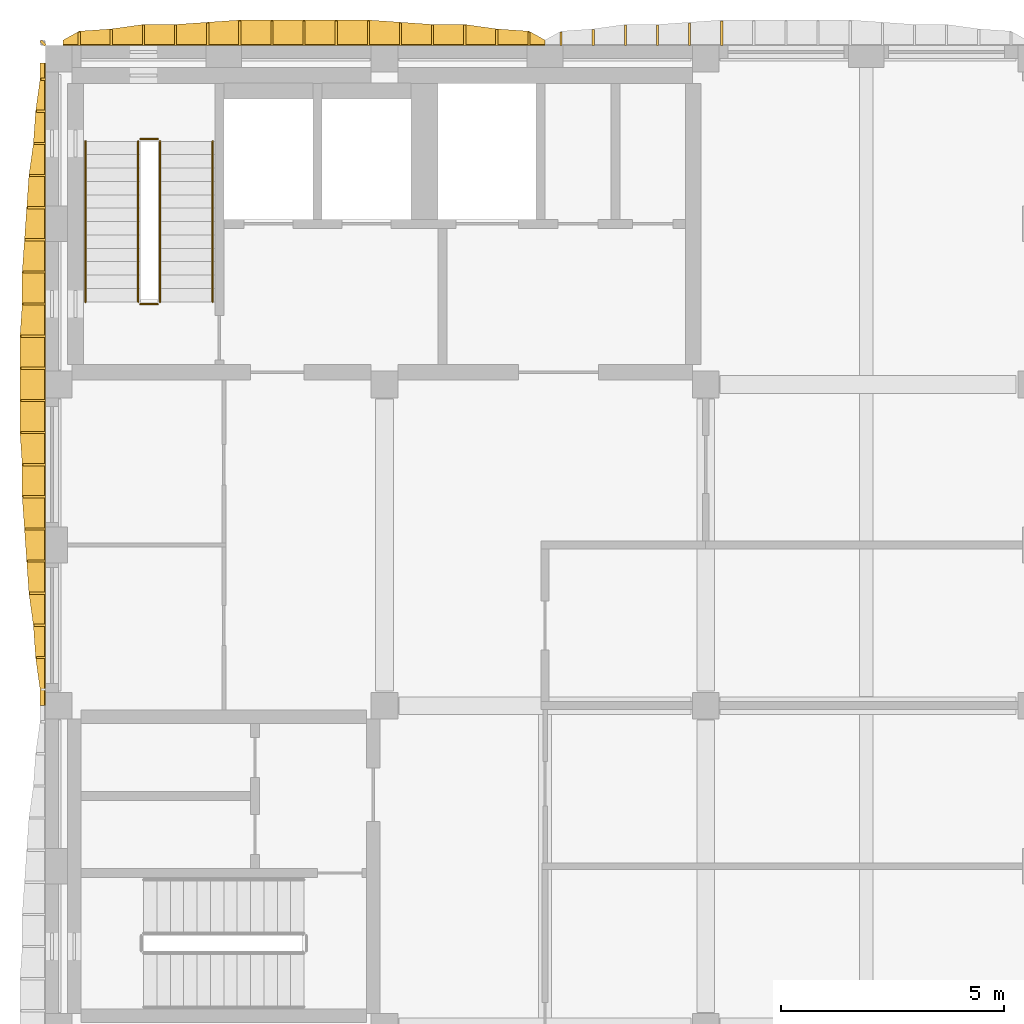
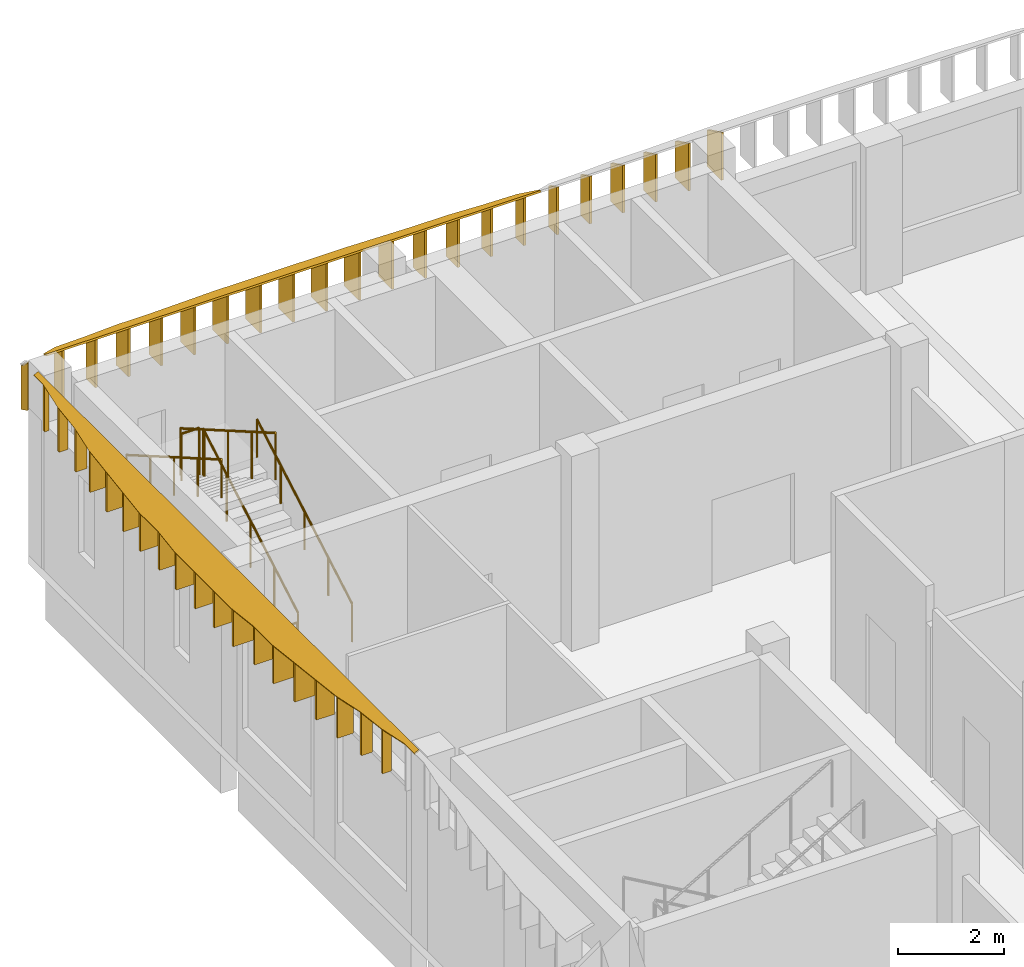
# One storey, part 7 of 10: 43 shading devices, 6 railings.
"""IFC4 building model written with IfcOpenShell, lengths in metres."""

from ifc_helpers import new_model, si_unit, direction, frame, origin, origin_2d, place, context, subcontext, project, spatial, polyline, circle, outline, extrude, material, layer, layer_set, type_object, element, save


model = new_model("IFC4")

# Units and contexts
model_context = context("Model", 3, precision=1e-05, world=origin(), true_north=direction((0.0, 1.0)))
body_context = subcontext(model_context, "Body", "Model", "MODEL_VIEW")
ifc_project = project(units=[si_unit("LENGTHUNIT", "METRE"), si_unit("AREAUNIT", "SQUARE_METRE"), si_unit("VOLUMEUNIT", "CUBIC_METRE"), si_unit("PLANEANGLEUNIT", "RADIAN"), si_unit("MASSUNIT", "GRAM", prefix="KILO")], contexts=[model_context])

# Site, building, storey
site_placement = place(None, origin())
site = spatial("IfcSite", under=ifc_project, at=site_placement, CompositionType="ELEMENT")
building_placement = place(site_placement, origin())
building = spatial("IfcBuilding", under=site, at=building_placement, Name="Ussher Court Research Institute", CompositionType="ELEMENT")
storey_placement = place(building_placement, frame((0.0, 0.0, 36.89990234375)))
storey = spatial("IfcBuildingStorey", under=building, at=storey_placement, Name="L08", CompositionType="ELEMENT", Elevation=36.89990234375)

# Shading devices
ifc_material_1 = material(Name="Bronze anodised aluminium", Category="aluminium")
ifc_layer_1 = layer(ifc_material_1, 0.050048828125)
ifc_layer_set_1 = layer_set([ifc_layer_1], Name="Bronze anodised aluminium")
shading_device_type_1 = type_object("IfcShadingDeviceType", Name="Brim blade 100 mm deep 1100 mm high canted 26 deg wet", PredefinedType="USERDEFINED", material=ifc_layer_set_1)
shading_device_1_placement = place(storey_placement, frame((81.800048828125, 32.43994140625, 3.35009765625), z_axis=(0.0, 0.0, 1.0), x_axis=(-1.0, 0.0, 0.0)))
element("IfcShadingDevice", 1, at=shading_device_1_placement, inside=storey, type_object=shading_device_type_1, Name="Brim blade BS10 L08", ObjectType="BLADE", PredefinedType="USERDEFINED", context=body_context, shape_type="SweptSolid", body=[
    extrude(outline(polyline([(0.0, 0.0), (0.10009765625, 0.0), (0.10009765625, 1.05126953125), (0.0, 1.10009765625), (0.0, 0.0)])), frame((0.0, 0.02490234375, 0.0), z_axis=(0.0, -1.0, 0.0), x_axis=(1.0, 0.0, 0.0)), (0.0, 0.0, 1.0), 0.050048828125),
])
ifc_material_2 = material(Name="Bronze anodised aluminium", Category="aluminium")
ifc_layer_2 = layer(ifc_material_2, 0.050048828125)
ifc_layer_set_2 = layer_set([ifc_layer_2], Name="Bronze anodised aluminium")
shading_device_type_2 = type_object("IfcShadingDeviceType", Name="Brim blade 200 mm deep 1100 mm high canted 26 deg wet", PredefinedType="USERDEFINED", material=ifc_layer_set_2)
for number, where, z_axis, x_axis, name in (
    (2, (81.800048828125, 19.47998046875, 3.35009765625), (0.0, 0.0, 1.0), (-1.0, 0.0, 0.0), "Brim blade BS08 L08"),
    (3, (81.800048828125, 31.719970703125, 3.35009765625), (0.0, 0.0, 1.0), (-1.0, 0.0, 0.0), "Brim blade BS08 L08"),
):
    element("IfcShadingDevice", number, at=place(storey_placement, frame(where, z_axis=z_axis, x_axis=x_axis)), inside=storey, type_object=shading_device_type_2, Name=name, ObjectType="BLADE", PredefinedType="USERDEFINED", context=body_context, shape_type="SweptSolid", body=[
        extrude(outline(polyline([(0.0, 0.0), (0.199951171875, 0.0), (0.199951171875, 1.00244140625), (0.0, 1.10009765625), (0.0, 0.0)])), frame((0.0, 0.02490234375, 0.0), z_axis=(0.0, -1.0, 0.0), x_axis=(1.0, 0.0, 0.0)), (0.0, 0.0, 1.0), 0.050048828125),
    ])
ifc_material_3 = material(Name="Bronze anodised aluminium", Category="aluminium")
ifc_layer_3 = layer(ifc_material_3, 0.050048828125)
ifc_layer_set_3 = layer_set([ifc_layer_3], Name="Bronze anodised aluminium")
shading_device_type_3 = type_object("IfcShadingDeviceType", Name="Brim blade 250 mm deep 1100 mm high canted 26 deg wet", PredefinedType="USERDEFINED", material=ifc_layer_set_3)
for number, where, z_axis, x_axis, name in (
    (4, (81.800048828125, 20.199951171875, 3.35009765625), (0.0, 0.0, 1.0), (-1.0, 0.0, 0.0), "Brim blade BS07 L08"),
    (5, (81.800048828125, 31.0, 3.35009765625), (0.0, 0.0, 1.0), (-1.0, 0.0, 0.0), "Brim blade BS07 L08"),
):
    element("IfcShadingDevice", number, at=place(storey_placement, frame(where, z_axis=z_axis, x_axis=x_axis)), inside=storey, type_object=shading_device_type_3, Name=name, ObjectType="BLADE", PredefinedType="USERDEFINED", context=body_context, shape_type="SweptSolid", body=[
        extrude(outline(polyline([(0.0, 0.0), (0.25, 0.0), (0.25, 0.97802734375), (0.0, 1.10009765625), (0.0, 0.0)])), frame((0.0, 0.02490234375, 0.0), z_axis=(0.0, -1.0, 0.0), x_axis=(1.0, 0.0, 0.0)), (0.0, 0.0, 1.0), 0.050048828125),
    ])
ifc_material_4 = material(Name="Bronze anodised aluminium", Category="aluminium")
ifc_layer_4 = layer(ifc_material_4, 0.050048828125)
ifc_layer_set_4 = layer_set([ifc_layer_4], Name="Bronze anodised aluminium")
shading_device_type_4 = type_object("IfcShadingDeviceType", Name="Brim blade 300 mm deep 1100 mm high canted 26 deg wet", PredefinedType="USERDEFINED", material=ifc_layer_set_4)
for number, where, z_axis, x_axis, name in (
    (6, (82.56005859375, 33.199951171875, 3.35009765625), (0.0, 0.0, 1.0), (0.0, 1.0, 0.0), "Brim blade BS06 L08"),
    (7, (92.639892578125, 33.199951171875, 3.35009765625), (0.0, 0.0, 1.0), (0.0, 1.0, 0.0), "Brim blade BS06 L08"),
    (8, (93.360107421875, 33.199951171875, 3.35009765625), (0.0, 0.0, 1.0), (0.0, 1.0, 0.0), "Brim blade BS06 L08"),
):
    element("IfcShadingDevice", number, at=place(storey_placement, frame(where, z_axis=z_axis, x_axis=x_axis)), inside=storey, type_object=shading_device_type_4, Name=name, ObjectType="BLADE", PredefinedType="USERDEFINED", context=body_context, shape_type="SweptSolid", body=[
        extrude(outline(polyline([(0.0, 0.0), (0.300048828125, 0.0), (0.300048828125, 0.95361328125), (0.0, 1.10009765625), (0.0, 0.0)])), frame((0.0, 0.02490234375, 0.0), z_axis=(0.0, -1.0, 0.0), x_axis=(1.0, 0.0, 0.0)), (0.0, 0.0, 1.0), 0.050048828125),
    ])
ifc_material_5 = material(Name="Bronze anodised aluminium", Category="aluminium")
ifc_layer_5 = layer(ifc_material_5, 0.050048828125)
ifc_layer_set_5 = layer_set([ifc_layer_5], Name="Bronze anodised aluminium")
shading_device_type_5 = type_object("IfcShadingDeviceType", Name="Brim blade 350 mm deep 1100 mm high canted 26 deg wet", PredefinedType="USERDEFINED", material=ifc_layer_set_5)
for number, where, z_axis, x_axis, name in (
    (9, (83.280029296875, 33.199951171875, 3.35009765625), (0.0, 0.0, 1.0), (0.0, 1.0, 0.0), "Brim blade BS05 L08"),
    (10, (91.919921875, 33.199951171875, 3.35009765625), (0.0, 0.0, 1.0), (0.0, 1.0, 0.0), "Brim blade BS05 L08"),
    (11, (94.080078125, 33.199951171875, 3.35009765625), (0.0, 0.0, 1.0), (0.0, 1.0, 0.0), "Brim blade BS05 L08"),
    (12, (81.800048828125, 20.919921875, 3.35009765625), (0.0, 0.0, 1.0), (-1.0, 0.0, 0.0), "Brim blade BS05 L08"),
    (13, (81.800048828125, 30.280029296875, 3.35009765625), (0.0, 0.0, 1.0), (-1.0, 0.0, 0.0), "Brim blade BS05 L08"),
):
    element("IfcShadingDevice", number, at=place(storey_placement, frame(where, z_axis=z_axis, x_axis=x_axis)), inside=storey, type_object=shading_device_type_5, Name=name, ObjectType="BLADE", PredefinedType="USERDEFINED", context=body_context, shape_type="SweptSolid", body=[
        extrude(outline(polyline([(0.0, 0.0), (0.35009765625, 0.0), (0.35009765625, 0.92919921875), (0.0, 1.10009765625), (0.0, 0.0)])), frame((0.0, 0.02490234375, 0.0), z_axis=(0.0, -1.0, 0.0), x_axis=(1.0, 0.0, 0.0)), (0.0, 0.0, 1.0), 0.050048828125),
    ])
ifc_material_6 = material(Name="Bronze anodised aluminium", Category="aluminium")
ifc_layer_6 = layer(ifc_material_6, 0.050048828125)
ifc_layer_set_6 = layer_set([ifc_layer_6], Name="Bronze anodised aluminium")
shading_device_type_6 = type_object("IfcShadingDeviceType", Name="Brim blade 400 mm deep 1100 mm high canted 26 deg wet", PredefinedType="USERDEFINED", material=ifc_layer_set_6)
for number, where, z_axis, x_axis, name in (
    (14, (81.800048828125, 21.639892578125, 3.35009765625), (0.0, 0.0, 1.0), (-1.0, 0.0, 0.0), "Brim blade BS04 L08"),
    (15, (81.800048828125, 29.56005859375, 3.35009765625), (0.0, 0.0, 1.0), (-1.0, 0.0, 0.0), "Brim blade BS04 L08"),
):
    element("IfcShadingDevice", number, at=place(storey_placement, frame(where, z_axis=z_axis, x_axis=x_axis)), inside=storey, type_object=shading_device_type_6, Name=name, ObjectType="BLADE", PredefinedType="USERDEFINED", context=body_context, shape_type="SweptSolid", body=[
        extrude(outline(polyline([(0.0, 0.0), (0.400146484375, 0.0), (0.39990234375, 0.90478515625), (0.0, 1.10009765625), (0.0, 0.0)])), frame((0.0, 0.02490234375, 0.0), z_axis=(0.0, -1.0, 0.0), x_axis=(1.0, 0.0, 0.0)), (0.0, 0.0, 1.0), 0.050048828125),
    ])
ifc_material_7 = material(Name="Bronze anodised aluminium", Category="aluminium")
ifc_layer_7 = layer(ifc_material_7, 0.050048828125)
ifc_layer_set_7 = layer_set([ifc_layer_7], Name="Bronze anodised aluminium")
shading_device_type_7 = type_object("IfcShadingDeviceType", Name="Brim blade 450 mm deep 1100 mm high canted 26 deg wet", PredefinedType="USERDEFINED", material=ifc_layer_set_7)
for number, where, z_axis, x_axis, name in (
    (16, (84.0, 33.199951171875, 3.35009765625), (0.0, 0.0, 1.0), (0.0, 1.0, 0.0), "Brim blade BS03 L08"),
    (17, (84.719970703125, 33.199951171875, 3.35009765625), (0.0, 0.0, 1.0), (0.0, 1.0, 0.0), "Brim blade BS03 L08"),
    (18, (90.47998046875, 33.199951171875, 3.35009765625), (0.0, 0.0, 1.0), (0.0, 1.0, 0.0), "Brim blade BS03 L08"),
    (19, (91.199951171875, 33.199951171875, 3.35009765625), (0.0, 0.0, 1.0), (0.0, 1.0, 0.0), "Brim blade BS03 L08"),
    (20, (94.800048828125, 33.199951171875, 3.35009765625), (0.0, 0.0, 1.0), (0.0, 1.0, 0.0), "Brim blade BS03 L08"),
    (21, (95.52001953125, 33.199951171875, 3.35009765625), (0.0, 0.0, 1.0), (0.0, 1.0, 0.0), "Brim blade BS03 L08"),
    (22, (81.800048828125, 22.360107421875, 3.35009765625), (0.0, 0.0, 1.0), (-1.0, 0.0, 0.0), "Brim blade BS03 L08"),
    (23, (81.800048828125, 28.840087890625, 3.35009765625), (0.0, 0.0, 1.0), (-1.0, 0.0, 0.0), "Brim blade BS03 L08"),
):
    element("IfcShadingDevice", number, at=place(storey_placement, frame(where, z_axis=z_axis, x_axis=x_axis)), inside=storey, type_object=shading_device_type_7, Name=name, ObjectType="BLADE", PredefinedType="USERDEFINED", context=body_context, shape_type="SweptSolid", body=[
        extrude(outline(polyline([(0.0, 0.0), (0.449951171875, 0.0), (0.449951171875, 0.880615234375), (0.0, 1.10009765625), (0.0, 0.0)])), frame((0.0, 0.02490234375, 0.0), z_axis=(0.0, -1.0, 0.0), x_axis=(1.0, 0.0, 0.0)), (0.0, 0.0, 1.0), 0.050048828125),
    ])
ifc_material_8 = material(Name="Bronze anodised aluminium", Category="aluminium")
ifc_layer_8 = layer(ifc_material_8, 0.050048828125)
ifc_layer_set_8 = layer_set([ifc_layer_8], Name="Bronze anodised aluminium")
shading_device_type_8 = type_object("IfcShadingDeviceType", Name="Brim blade 500 mm deep 1100 mm high canted 26 deg wet", PredefinedType="USERDEFINED", material=ifc_layer_set_8)
for number, where, z_axis, x_axis, name in (
    (24, (85.43994140625, 33.199951171875, 3.35009765625), (0.0, 0.0, 1.0), (0.0, 1.0, 0.0), "Brim blade BS02 L08"),
    (25, (89.760009765625, 33.199951171875, 3.35009765625), (0.0, 0.0, 1.0), (0.0, 1.0, 0.0), "Brim blade BS02 L08"),
    (26, (96.239990234375, 33.199951171875, 3.35009765625), (0.0, 0.0, 1.0), (0.0, 1.0, 0.0), "Brim blade BS02 L08"),
    (27, (81.800048828125, 23.080078125, 3.35009765625), (0.0, 0.0, 1.0), (-1.0, 0.0, 0.0), "Brim blade BS02 L08"),
    (28, (81.800048828125, 23.800048828125, 3.35009765625), (0.0, 0.0, 1.0), (-1.0, 0.0, 0.0), "Brim blade BS02 L08"),
    (29, (81.800048828125, 27.39990234375, 3.35009765625), (0.0, 0.0, 1.0), (-1.0, 0.0, 0.0), "Brim blade BS02 L08"),
    (30, (81.800048828125, 28.1201171875, 3.35009765625), (0.0, 0.0, 1.0), (-1.0, 0.0, 0.0), "Brim blade BS02 L08"),
):
    element("IfcShadingDevice", number, at=place(storey_placement, frame(where, z_axis=z_axis, x_axis=x_axis)), inside=storey, type_object=shading_device_type_8, Name=name, ObjectType="BLADE", PredefinedType="USERDEFINED", context=body_context, shape_type="SweptSolid", body=[
        extrude(outline(polyline([(0.0, 0.0), (0.5, 0.0), (0.5, 0.856201171875), (0.0, 1.10009765625), (0.0, 0.0)])), frame((0.0, 0.02490234375, 0.0), z_axis=(0.0, -1.0, 0.0), x_axis=(1.0, 0.0, 0.0)), (0.0, 0.0, 1.0), 0.050048828125),
    ])
ifc_material_9 = material(Name="Bronze anodised aluminium", Category="aluminium")
ifc_layer_9 = layer(ifc_material_9, 0.050048828125)
ifc_layer_set_9 = layer_set([ifc_layer_9], Name="Bronze anodised aluminium")
shading_device_type_9 = type_object("IfcShadingDeviceType", Name="Brim blade 550 mm deep 1100 mm high canted 26 deg wet", PredefinedType="USERDEFINED", material=ifc_layer_set_9)
for number, where, z_axis, x_axis, name in (
    (31, (86.159912109375, 33.199951171875, 3.35009765625), (0.0, 0.0, 1.0), (0.0, 1.0, 0.0), "Brim blade BS01 L08"),
    (32, (86.8798828125, 33.199951171875, 3.35009765625), (0.0, 0.0, 1.0), (0.0, 1.0, 0.0), "Brim blade BS01 L08"),
    (33, (87.60009765625, 33.199951171875, 3.35009765625), (0.0, 0.0, 1.0), (0.0, 1.0, 0.0), "Brim blade BS01 L08"),
    (34, (88.320068359375, 33.199951171875, 3.35009765625), (0.0, 0.0, 1.0), (0.0, 1.0, 0.0), "Brim blade BS01 L08"),
    (35, (89.0400390625, 33.199951171875, 3.35009765625), (0.0, 0.0, 1.0), (0.0, 1.0, 0.0), "Brim blade BS01 L08"),
    (36, (96.9599609375, 33.199951171875, 3.35009765625), (0.0, 0.0, 1.0), (0.0, 1.0, 0.0), "Brim blade BS01 L08"),
    (37, (81.800048828125, 24.52001953125, 3.35009765625), (0.0, 0.0, 1.0), (-1.0, 0.0, 0.0), "Brim blade BS01 L08"),
    (38, (81.800048828125, 25.239990234375, 3.35009765625), (0.0, 0.0, 1.0), (-1.0, 0.0, 0.0), "Brim blade BS01 L08"),
    (39, (81.800048828125, 25.9599609375, 3.35009765625), (0.0, 0.0, 1.0), (-1.0, 0.0, 0.0), "Brim blade BS01 L08"),
    (40, (81.800048828125, 26.679931640625, 3.35009765625), (0.0, 0.0, 1.0), (-1.0, 0.0, 0.0), "Brim blade BS01 L08"),
):
    element("IfcShadingDevice", number, at=place(storey_placement, frame(where, z_axis=z_axis, x_axis=x_axis)), inside=storey, type_object=shading_device_type_9, Name=name, ObjectType="BLADE", PredefinedType="USERDEFINED", context=body_context, shape_type="SweptSolid", body=[
        extrude(outline(polyline([(0.0, 0.0), (0.550048828125, 0.0), (0.550048828125, 0.831787109375), (0.0, 1.10009765625), (0.0, 0.0)])), frame((0.0, 0.02490234375, 0.0), z_axis=(0.0, -1.0, 0.0), x_axis=(1.0, 0.0, 0.0)), (0.0, 0.0, 1.0), 0.050048828125),
    ])
ifc_material_10 = material(Name="Bronze anodised aluminium", Category="aluminium")
ifc_layer_10 = layer(ifc_material_10, 0.050048828125)
ifc_layer_set_10 = layer_set([ifc_layer_10], Name="Bronze anodised aluminium")
shading_device_type_10 = type_object("IfcShadingDeviceType", Name="Brim mitre blade 100 mm deep 1100 mm high canted 26 deg wet", PredefinedType="USERDEFINED", material=ifc_layer_set_10)
shading_device_2_placement = place(storey_placement, frame((81.800048828125, 33.199951171875, 3.35009765625), z_axis=(0.0, 0.0, 1.0), x_axis=(-0.707106781187, 0.707106781187, 0.0)))
element("IfcShadingDevice", 41, at=shading_device_2_placement, inside=storey, type_object=shading_device_type_10, Name="Brim mitre blade BS18 L08", ObjectType="BLADE", PredefinedType="USERDEFINED", context=body_context, shape_type="SweptSolid", body=[
    extrude(outline(polyline([(0.0, 0.0), (0.1416015625, 0.0), (0.141357421875, 1.00244140625), (0.0, 1.10009765625), (0.0, 0.0)])), frame((0.0, 0.02490234375, 0.0), z_axis=(0.0, -1.0, 0.0), x_axis=(1.0, 0.0, 0.0)), (0.0, 0.0, 1.0), 0.050048828125),
])
ifc_material_11 = material(Name="Bronze anodised aluminium", Category="aluminium")
ifc_layer_11 = layer(ifc_material_11, 0.0400390625)
ifc_layer_set_11 = layer_set([ifc_layer_11], Name="Bronze anodised aluminium")
shading_device_type_11 = type_object("IfcShadingDeviceType", Name="Brim visor sheet 40 mm canted 26 deg wet", PredefinedType="USERDEFINED", material=ifc_layer_set_11)
shading_device_3_placement = place(storey_placement, frame((82.199951171875, 33.217529296875, 4.486083984375), z_axis=(0.0, 0.438493442835, 0.898734388232), x_axis=(1.0, 0.0, 0.0)))
element("IfcShadingDevice", 42, at=shading_device_3_placement, inside=storey, type_object=shading_device_type_11, Name="Brim visor sheet BR1 L08", ObjectType="BRIM", PredefinedType="USERDEFINED", context=body_context, shape_type="SweptSolid", body=[
    extrude(outline(polyline([(0.0, 0.0), (10.800048828125, 0.0), (10.800048828125, 0.11115260091647443), (10.43994140625, 0.3338966378999272), (9.719970703125, 0.3893632295705384), (9.0, 0.5006281939990725), (8.280029296875, 0.5006281939990725), (7.56005859375, 0.5563142032449357), (6.840087890625, 0.612000212490799), (6.1201171875, 0.612000212490799), (5.400146484375, 0.612000212490799), (4.679931640625, 0.612000212490799), (3.9599609375, 0.612000212490799), (3.239990234375, 0.5563142032449357), (2.52001953125, 0.5006281939990725), (1.800048828125, 0.5006281939990725), (1.080078125, 0.3893632295705384), (0.360107421875, 0.3338966378999272), (0.0, 0.11115260091647443), (0.0, 0.0)])), origin(), (0.0, 0.0, -1.0), 0.0400390625),
])
shading_device_4_placement = place(storey_placement, frame((81.782470703125, 18.39990234375, 4.486083984375), z_axis=(-0.438529184396, 0.0, 0.898716949007), x_axis=(0.0, 1.0, 0.0)))
element("IfcShadingDevice", 43, at=shading_device_4_placement, inside=storey, type_object=shading_device_type_11, Name="Brim visor sheet BR1 L08", ObjectType="BRIM", PredefinedType="USERDEFINED", context=body_context, shape_type="SweptSolid", body=[
    extrude(outline(polyline([(0.0, 0.0), (14.400146484375, 0.0), (14.400146484375, 0.11115260474198813), (14.0400390625, 0.11115260474198813), (13.320068359375, 0.22252462280160495), (12.60009765625, 0.27821063183141337), (11.880126953125, 0.3893632365734015), (11.16015625, 0.4449421828140506), (10.440185546875, 0.5006281918438591), (9.72021484375, 0.5563142008736675), (9.0, 0.5563142008736675), (8.280029296875, 0.6120002099034759), (7.56005859375, 0.6120002099034759), (6.840087890625, 0.6120002099034759), (6.1201171875, 0.6120002099034759), (5.400146484375, 0.5563142008736675), (4.68017578125, 0.5563142008736675), (3.960205078125, 0.5006281918438591), (3.239990234375, 0.4449421828140506), (2.52001953125, 0.3893632365734015), (1.800048828125, 0.27821063183141337), (1.080078125, 0.22252462280160495), (0.360107421875, 0.11115260474198813), (0.0, 0.11115260474198813), (0.0, 0.0)])), origin(), (0.0, 0.0, -1.0), 0.0400390625),
])

# Railings
ifc_material_12 = material(Name="Painted steel balustrade", Category="steel")
railing_type_1 = type_object("IfcRailingType", Name="Stair guard 1100 steel balustrade", PredefinedType="GUARDRAIL", material=ifc_material_12)
railing_1_placement = place(storey_placement, frame((84.3701171875, 27.449951171875, 0.173095703125)))
element("IfcRailing", 44, at=railing_1_placement, inside=storey, type_object=railing_type_1, Name="L08 T1 stair guard 1", PredefinedType="GUARDRAIL", context=body_context, shape_type="SweptSolid", body=[
    extrude(circle(Radius=0.02392578125, at=origin_2d()), frame((0.0, 0.0, 1.076171875), z_axis=(0.0, 0.866193409371, 0.499708892819), x_axis=(-1.0, 0.0, 0.0)), (0.0, 0.0, 1.0), 4.15625),
    extrude(circle(Radius=0.02099609375, at=origin_2d()), origin(), (0.0, 0.0, 1.0), 1.052001953125),
    extrude(circle(Radius=0.02099609375, at=origin_2d()), frame((0.0, 0.89990234375, 0.519287109375)), (0.0, 0.0, 1.0), 1.052001953125),
    extrude(circle(Radius=0.02099609375, at=origin_2d()), frame((0.0, 1.800048828125, 1.03857421875)), (0.0, 0.0, 1.0), 1.052001953125),
    extrude(circle(Radius=0.02099609375, at=origin_2d()), frame((0.0, 2.7001953125, 1.5576171875)), (0.0, 0.0, 1.0), 1.052001953125),
    extrude(circle(Radius=0.02099609375, at=origin_2d()), frame((0.0, 3.60009765625, 2.076904296875)), (0.0, 0.0, 1.0), 1.052001953125),
])
railing_2_placement = place(storey_placement, frame((84.320068359375, 31.10009765625, 2.25)))
element("IfcRailing", 45, at=railing_2_placement, inside=storey, type_object=railing_type_1, Name="L08 T1 stair guard 2", PredefinedType="GUARDRAIL", context=body_context, shape_type="SweptSolid", body=[
    extrude(circle(Radius=0.02392578125, at=origin_2d()), frame((0.0, 0.0, 1.076171875), z_axis=(-1.0, 0.0, 0.0), x_axis=(0.0, -1.0, 0.0)), (0.0, 0.0, 1.0), 0.39013671875),
    extrude(circle(Radius=0.02099609375, at=origin_2d()), origin(), (0.0, 0.0, 1.0), 1.052001953125),
    extrude(circle(Radius=0.02099609375, at=origin_2d()), frame((-0.39013671875, 0.0, 0.0)), (0.0, 0.0, 1.0), 1.052001953125),
])
railing_3_placement = place(storey_placement, frame((83.8798828125, 31.050048828125, 2.423095703125)))
element("IfcRailing", 46, at=railing_3_placement, inside=storey, type_object=railing_type_1, Name="L08 T1 stair guard 3", PredefinedType="GUARDRAIL", context=body_context, shape_type="SweptSolid", body=[
    extrude(circle(Radius=0.02392578125, at=origin_2d()), frame((0.0, 0.0, 1.076171875), z_axis=(0.0, -0.866193409371, 0.499708892819), x_axis=(1.0, 0.0, 0.0)), (0.0, 0.0, 1.0), 4.15625),
    extrude(circle(Radius=0.02099609375, at=origin_2d()), origin(), (0.0, 0.0, 1.0), 1.052001953125),
    extrude(circle(Radius=0.02099609375, at=origin_2d()), frame((0.0, -0.89990234375, 0.519287109375)), (0.0, 0.0, 1.0), 1.052001953125),
    extrude(circle(Radius=0.02099609375, at=origin_2d()), frame((0.0, -1.800048828125, 1.03857421875)), (0.0, 0.0, 1.0), 1.052001953125),
    extrude(circle(Radius=0.02099609375, at=origin_2d()), frame((0.0, -2.7001953125, 1.5576171875)), (0.0, 0.0, 1.0), 1.052001953125),
    extrude(circle(Radius=0.02099609375, at=origin_2d()), frame((0.0, -3.60009765625, 2.076904296875)), (0.0, 0.0, 1.0), 1.052001953125),
])
railing_4_placement = place(storey_placement, frame((84.320068359375, 27.39990234375, 0.0)))
element("IfcRailing", 47, at=railing_4_placement, inside=storey, type_object=railing_type_1, Name="L08 T1 stair guard 4", PredefinedType="GUARDRAIL", context=body_context, shape_type="SweptSolid", body=[
    extrude(circle(Radius=0.02392578125, at=origin_2d()), frame((0.0, 0.0, 1.076171875), z_axis=(-1.0, 0.0, 0.0), x_axis=(0.0, -1.0, 0.0)), (0.0, 0.0, 1.0), 0.39013671875),
    extrude(circle(Radius=0.02099609375, at=origin_2d()), origin(), (0.0, 0.0, 1.0), 1.052001953125),
    extrude(circle(Radius=0.02099609375, at=origin_2d()), frame((-0.39013671875, 0.0, 0.0)), (0.0, 0.0, 1.0), 1.052001953125),
])
ifc_material_13 = material(Name="Painted steel handrail", Category="steel")
railing_type_2 = type_object("IfcRailingType", Name="Stair handrail 900 steel", PredefinedType="HANDRAIL", material=ifc_material_13)
railing_5_placement = place(storey_placement, frame((85.550048828125, 27.449951171875, 0.173095703125)))
element("IfcRailing", 48, at=railing_5_placement, inside=storey, type_object=railing_type_2, Name="L08 T1 stair handrail 1", PredefinedType="HANDRAIL", context=body_context, shape_type="SweptSolid", body=[
    extrude(circle(Radius=0.02392578125, at=origin_2d()), frame((0.0, 0.0, 0.8759765625), z_axis=(0.0, 0.866193409371, 0.499708892819), x_axis=(-1.0, 0.0, 0.0)), (0.0, 0.0, 1.0), 4.15625),
    extrude(circle(Radius=0.02099609375, at=origin_2d()), origin(), (0.0, 0.0, 1.0), 0.851806640625),
    extrude(circle(Radius=0.02099609375, at=origin_2d()), frame((0.0, 0.89990234375, 0.519287109375)), (0.0, 0.0, 1.0), 0.851806640625),
    extrude(circle(Radius=0.02099609375, at=origin_2d()), frame((0.0, 1.800048828125, 1.03857421875)), (0.0, 0.0, 1.0), 0.851806640625),
    extrude(circle(Radius=0.02099609375, at=origin_2d()), frame((0.0, 2.7001953125, 1.5576171875)), (0.0, 0.0, 1.0), 0.851806640625),
    extrude(circle(Radius=0.02099609375, at=origin_2d()), frame((0.0, 3.60009765625, 2.076904296875)), (0.0, 0.0, 1.0), 0.851806640625),
])
railing_6_placement = place(storey_placement, frame((82.699951171875, 31.050048828125, 2.423095703125)))
element("IfcRailing", 49, at=railing_6_placement, inside=storey, type_object=railing_type_2, Name="L08 T1 stair handrail 2", PredefinedType="HANDRAIL", context=body_context, shape_type="SweptSolid", body=[
    extrude(circle(Radius=0.02392578125, at=origin_2d()), frame((0.0, 0.0, 0.8759765625), z_axis=(0.0, -0.866193409371, 0.499708892819), x_axis=(1.0, 0.0, 0.0)), (0.0, 0.0, 1.0), 4.15625),
    extrude(circle(Radius=0.02099609375, at=origin_2d()), origin(), (0.0, 0.0, 1.0), 0.851806640625),
    extrude(circle(Radius=0.02099609375, at=origin_2d()), frame((0.0, -0.89990234375, 0.519287109375)), (0.0, 0.0, 1.0), 0.851806640625),
    extrude(circle(Radius=0.02099609375, at=origin_2d()), frame((0.0, -1.800048828125, 1.03857421875)), (0.0, 0.0, 1.0), 0.851806640625),
    extrude(circle(Radius=0.02099609375, at=origin_2d()), frame((0.0, -2.7001953125, 1.5576171875)), (0.0, 0.0, 1.0), 0.851806640625),
    extrude(circle(Radius=0.02099609375, at=origin_2d()), frame((0.0, -3.60009765625, 2.076904296875)), (0.0, 0.0, 1.0), 0.851806640625),
])

save(model, "model.ifc")
